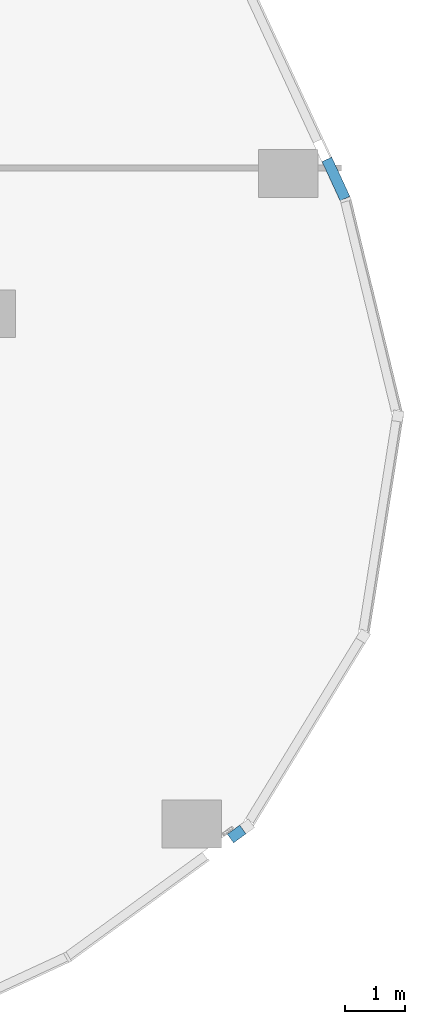
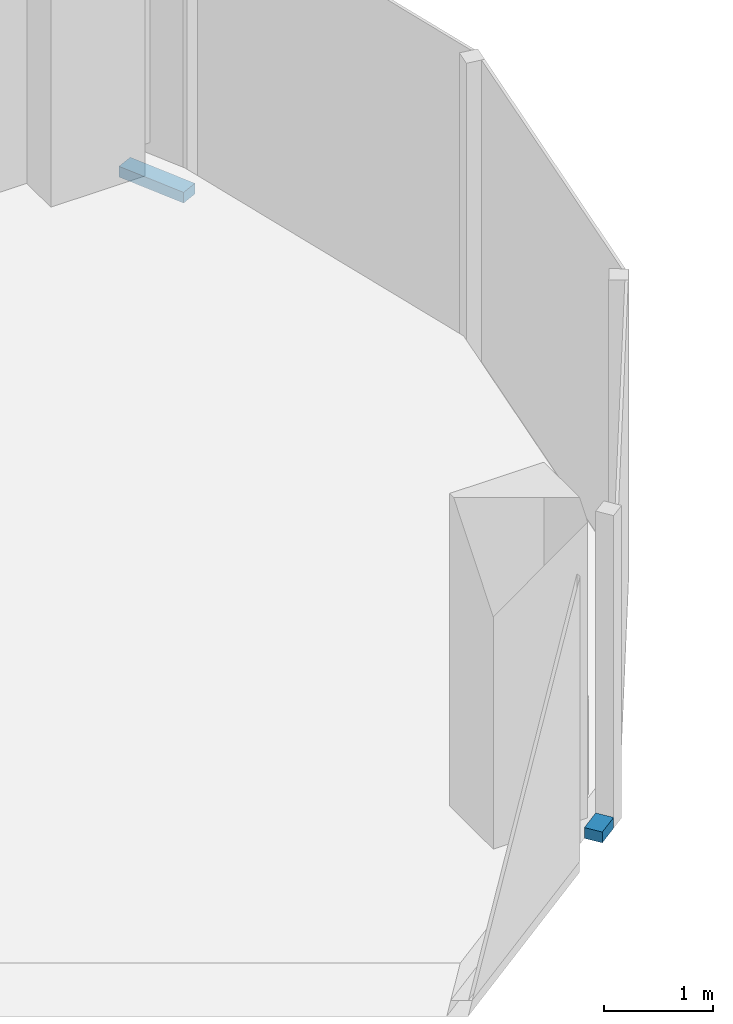
# One storey, part 13 of 23: 2 members, 2 elements without a shape of their own.
"""IFC4 building model written with IfcOpenShell, lengths in metres."""

from ifc_helpers import new_model, si_unit, direction, frame, origin, origin_2d, place, context, subcontext, project, spatial, rectangle, extrude, material, material_profile, profile_set, type_object, element, aggregate, save


model = new_model("IFC4")

# Units and contexts
model_context = context("Model", 3, precision=1e-05, world=origin(), true_north=direction((0.0, 1.0)))
body_context = subcontext(model_context, "Body", "Model", "MODEL_VIEW")
ifc_project = project(units=[si_unit("LENGTHUNIT", "METRE"), si_unit("AREAUNIT", "SQUARE_METRE"), si_unit("VOLUMEUNIT", "CUBIC_METRE"), si_unit("PLANEANGLEUNIT", "RADIAN"), si_unit("MASSUNIT", "GRAM", prefix="KILO")], contexts=[model_context])

# Site, building, storey
site_placement = place(None, origin())
site = spatial("IfcSite", under=ifc_project, at=site_placement, CompositionType="ELEMENT")
building_placement = place(site_placement, origin())
building = spatial("IfcBuilding", under=site, at=building_placement, Name="Orlundy Tower", CompositionType="ELEMENT")
storey_placement = place(building_placement, frame((0.0, 0.0, 264.0)))
storey = spatial("IfcBuildingStorey", under=building, at=storey_placement, Name="L70", CompositionType="ELEMENT", Elevation=264.0)

# Curtain wall, member
ifc_material_1 = material(Name="Aluminium bronze anodised", Category="aluminium")
curtain_wall_type = type_object("IfcCurtainWallType", Name="CW1 wall", PredefinedType="NOTDEFINED", material=ifc_material_1)
curtain_wall_1_placement = place(storey_placement, origin())
curtain_wall_1 = element("IfcCurtainWall", 1, at=curtain_wall_1_placement, inside=storey, type_object=curtain_wall_type, Name="CW1 run 15", PredefinedType="NOTDEFINED")
ifc_material_2 = material(Name="Aluminium bronze anodised", Category="aluminium")
ifc_material_profile = material_profile(ifc_material_2, rectangle(XDim=0.179931640625, YDim=0.1201171875, at=origin_2d()), Name="CW1 transom 180x120")
ifc_profile_set = profile_set([ifc_material_profile], Name="Aluminium bronze anodised")
member_type = type_object("IfcMemberType", Name="CW1 transom 180x120", PredefinedType="USERDEFINED", material=ifc_profile_set)
member_1_placement = place(storey_placement, frame((40.027099609375, 7.771240234375, -0.340087890625), z_axis=(0.419826001954, -0.907604609994, 0.0), x_axis=(0.907604609994, 0.419826001954, 0.0)))
member_1 = element("IfcMember", 2, at=member_1_placement, type_object=member_type, Name="CW1 transom", ObjectType="TRANSOM", PredefinedType="USERDEFINED", context=body_context, shape_type="SweptSolid", body=[
    extrude(rectangle(XDim=0.179931640625, YDim=0.1201171875, at=origin_2d()), origin(), (0.0, 0.0, 1.0), 0.725830078125),
])
aggregate(curtain_wall_1, [member_1])

curtain_wall_2_placement = place(storey_placement, origin())
curtain_wall_2 = element("IfcCurtainWall", 3, at=curtain_wall_2_placement, inside=storey, type_object=curtain_wall_type, Name="CW1 run 19", PredefinedType="NOTDEFINED")
member_2_placement = place(storey_placement, frame((38.61572265625, -3.483154296875, -0.340087890625), z_axis=(-0.808242953664, -0.588849155431, 0.0), x_axis=(0.588849155431, -0.808242953664, 0.0)))
member_2 = element("IfcMember", 4, at=member_2_placement, type_object=member_type, Name="CW1 transom", ObjectType="TRANSOM", PredefinedType="USERDEFINED", context=body_context, shape_type="SweptSolid", body=[
    extrude(rectangle(XDim=0.179931640625, YDim=0.1201171875, at=origin_2d()), origin(), (0.0, 0.0, 1.0), 0.257080078125),
])
aggregate(curtain_wall_2, [member_2])

save(model, "model.ifc")
